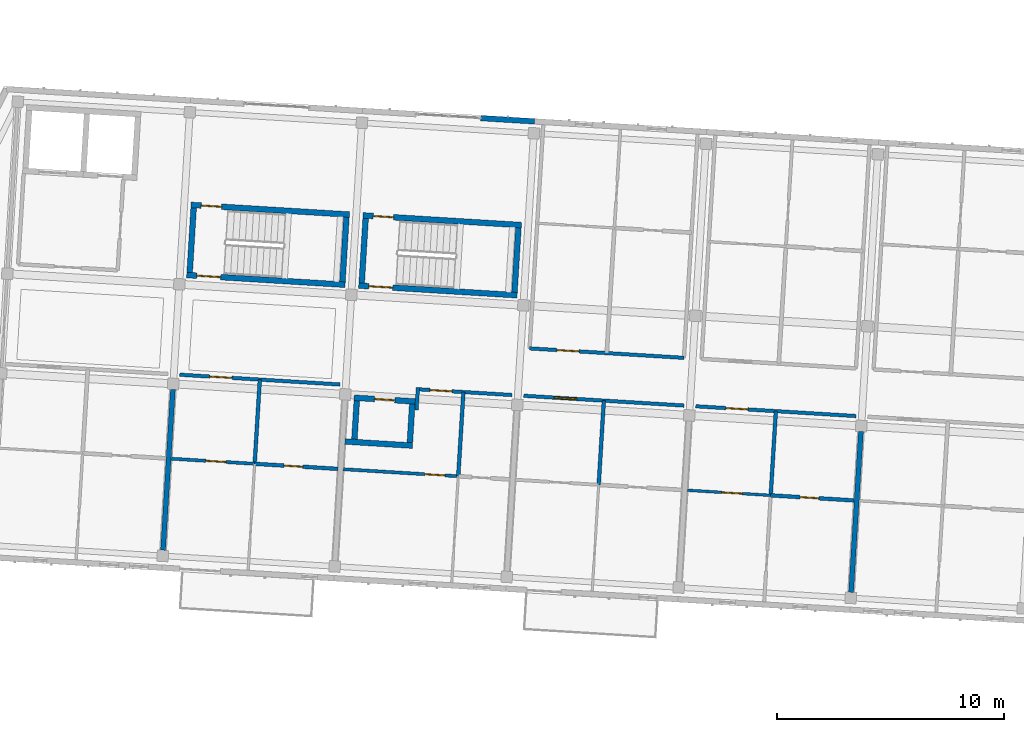
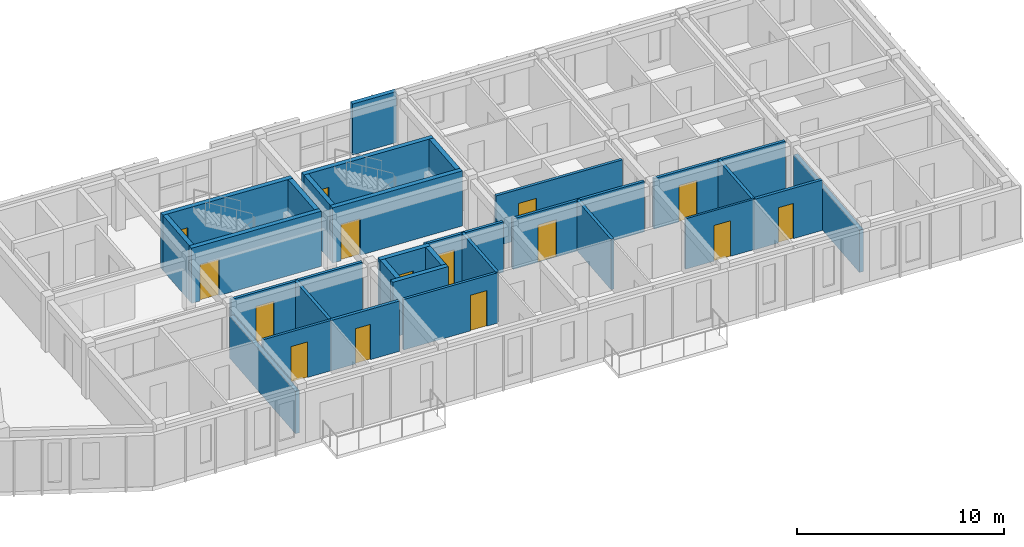
# One storey, part 26 of 68: 30 walls, 15 doors, 15 openings.
"""IFC4 building model written with IfcOpenShell, lengths in metres."""

from ifc_helpers import new_model, si_unit, direction, frame, frame_2d, origin, place, context, subcontext, project, spatial, rectangle, extrude, material, layer, layer_set, type_object, element, fill, save


model = new_model("IFC4")

# Units and contexts
model_context = context("Model", 3, precision=1e-05, world=origin(), true_north=direction((0.0, 1.0)))
body_context = subcontext(model_context, "Body", "Model", "MODEL_VIEW")
ifc_project = project(units=[si_unit("LENGTHUNIT", "METRE"), si_unit("AREAUNIT", "SQUARE_METRE"), si_unit("VOLUMEUNIT", "CUBIC_METRE"), si_unit("PLANEANGLEUNIT", "RADIAN"), si_unit("MASSUNIT", "GRAM", prefix="KILO")], contexts=[model_context])

# Site, building, storey
site_placement = place(None, origin())
site = spatial("IfcSite", under=ifc_project, at=site_placement, CompositionType="ELEMENT")
building_placement = place(site_placement, origin())
building = spatial("IfcBuilding", under=site, at=building_placement, Name="Kestramere Prow Commons", CompositionType="ELEMENT")
storey_placement = place(building_placement, frame((0.0, 0.0, 18.14990234375)))
storey = spatial("IfcBuildingStorey", under=building, at=storey_placement, Name="L05", CompositionType="ELEMENT", Elevation=18.14990234375)

# Wall
ifc_material_1 = material(Name="Fluoropolymer Standing-Seam Zinc-Aluminium Cladding", Category="aluminium")
ifc_layer_1 = layer(ifc_material_1, 0.239990234375)
ifc_layer_set_1 = layer_set([ifc_layer_1], Name="Fluoropolymer Standing-Seam Zinc-Aluminium Cladding")
wall_type_1 = type_object("IfcWallType", Name="EW-SEAM-240", PredefinedType="SOLIDWALL", material=ifc_layer_set_1)
wall_1_placement = place(storey_placement, frame((81.115478515625, 65.340576171875, 0.0), z_axis=(0.0, 0.0, 1.0), x_axis=(0.998134103342, -0.061059902923, 0.0)))
element("IfcWall", 1, at=wall_1_placement, inside=storey, type_object=wall_type_1, Name="Block C L05 North Standing-Seam Pier 3R", PredefinedType="SOLIDWALL", context=body_context, shape_type="SweptSolid", body=[
    extrude(rectangle(XDim=2.375, YDim=0.239990234375, at=frame_2d((1.1875, 0.0))), origin(), (0.0, 0.0, 1.0), 3.0),
])

# Wall, opening, door
ifc_material_2 = material(Name="Concrete C40/50", Category="concrete")
ifc_layer_2 = layer(ifc_material_2, 0.25)
ifc_layer_set_2 = layer_set([ifc_layer_2], Name="Concrete C40/50")
wall_type_2 = type_object("IfcWallType", Name="W-CORE-250", PredefinedType="SHEAR", material=ifc_layer_set_2)
wall_2_placement = place(storey_placement, frame((68.3330078125, 61.513671875, 0.0), z_axis=(0.0, 0.0, 1.0), x_axis=(0.998135676081, -0.061034188237, 0.0)))
wall_2 = element("IfcWall", 2, at=wall_2_placement, inside=storey, type_object=wall_type_2, Name="ST-C1 L05 North Shaft Wall", PredefinedType="SHEAR", context=body_context, shape_type="SweptSolid", body=[
    extrude(rectangle(XDim=7.0, YDim=0.25, at=frame_2d((3.5, 0.0))), origin(), (0.0, 0.0, 1.0), 3.25),
])
opening_1_placement = place(wall_2_placement, frame((0.449951171875, 0.0, 0.0)))
opening_1 = element("IfcOpeningElement", 3, at=opening_1_placement, cuts=wall_2, Name="Opening ID-08", PredefinedType="OPENING", context=body_context, shape_type="SweptSolid", body=[
    extrude(rectangle(XDim=0.89990234375, YDim=2.10009765625, at=frame_2d((0.449951171875, 1.050048828125))), frame((0.0, 0.139892578125, 0.0), z_axis=(0.0, -1.0, 0.0), x_axis=(1.0, 0.0, 0.0)), (0.0, 0.0, 1.0), 0.280029296875),
])
ifc_material_3 = material(Name="Engineered Timber Flush Door", Category="wood")
door_type_1 = type_object("IfcDoorType", Name="D-RM-01", OperationType="NOTDEFINED", PredefinedType="DOOR", material=ifc_material_3)
door_1_placement = place(opening_1_placement, origin())
door_1 = element("IfcDoor", 4, at=door_1_placement, inside=storey, type_object=door_type_1, Name="ST-C1 L05 North Room Door", OperationType="SINGLE_SWING_RIGHT", OverallHeight=2.10009765625, OverallWidth=0.89990234375, PredefinedType="DOOR", context=body_context, shape_type="SweptSolid", body=[
    extrude(rectangle(XDim=0.89990234375, YDim=2.10009765625, at=frame_2d((0.449951171875, 1.050048828125))), frame((0.0, 0.02490234375, 0.0), z_axis=(0.0, -1.0, 0.0), x_axis=(1.0, 0.0, 0.0)), (0.0, 0.0, 1.0), 0.050048828125),
])
fill(opening_1, door_1)

wall_3_placement = place(storey_placement, frame((68.143798828125, 58.41943359375, 0.0), z_axis=(0.0, 0.0, 1.0), x_axis=(0.998135546153, -0.061036313012, 0.0)))
wall_3 = element("IfcWall", 5, at=wall_3_placement, inside=storey, type_object=wall_type_2, Name="ST-C1 L05 Corridor Shaft Wall", PredefinedType="SHEAR", context=body_context, shape_type="SweptSolid", body=[
    extrude(rectangle(XDim=6.999755859375, YDim=0.25, at=frame_2d((3.5, 0.0))), origin(), (0.0, 0.0, 1.0), 3.25),
])
opening_2_placement = place(wall_3_placement, frame((0.449951171875, 0.0, 0.0)))
opening_2 = element("IfcOpeningElement", 6, at=opening_2_placement, cuts=wall_3, Name="Opening ID-01", PredefinedType="OPENING", context=body_context, shape_type="SweptSolid", body=[
    extrude(rectangle(XDim=1.050048828125, YDim=2.14990234375, at=frame_2d((0.52490234375, 1.074951171875))), frame((0.0, 0.139892578125, 0.0), z_axis=(0.0, -1.0, 0.0), x_axis=(1.0, 0.0, 0.0)), (0.0, 0.0, 1.0), 0.280029296875),
])
ifc_material_4 = material(Name="Fire-Rated Timber and Steel Frame", Category="steel")
door_type_2 = type_object("IfcDoorType", Name="FD-ST-01", OperationType="NOTDEFINED", PredefinedType="DOOR", material=ifc_material_4)
door_2_placement = place(opening_2_placement, origin())
door_2 = element("IfcDoor", 7, at=door_2_placement, inside=storey, type_object=door_type_2, Name="ST-C1 L05 Protected Stair Door", OperationType="SINGLE_SWING_RIGHT", OverallHeight=2.14990234375, OverallWidth=1.050048828125, PredefinedType="DOOR", context=body_context, shape_type="SweptSolid", body=[
    extrude(rectangle(XDim=1.050048828125, YDim=2.14990234375, at=frame_2d((0.52490234375, 1.074951171875))), frame((0.0, 0.02490234375, 0.0), z_axis=(0.0, -1.0, 0.0), x_axis=(1.0, 0.0, 0.0)), (0.0, 0.0, 1.0), 0.050048828125),
])
fill(opening_2, door_2)

# Walls
for number, where, z_axis, x_axis, name in (
    (8, (68.276123046875, 58.53662109375, 0.0), (0.0, 0.0, 1.0), (0.06107697143, 0.998133059046, 0.0), "ST-C1 L05 Near Shaft Wall"),
    (9, (75.013671875, 58.12451171875, 0.0), (0.0, 0.0, 1.0), (0.060991628362, 0.99813827763, 0.0), "ST-C1 L05 Far Shaft Wall"),
):
    element("IfcWall", number, at=place(storey_placement, frame(where, z_axis=z_axis, x_axis=x_axis)), inside=storey, type_object=wall_type_2, Name=name, PredefinedType="SHEAR", context=body_context, shape_type="SweptSolid", body=[
        extrude(rectangle(XDim=2.85009765625, YDim=0.25, at=frame_2d((1.425048828125, 0.0))), origin(), (0.0, 0.0, 1.0), 3.25),
    ])

# Wall, opening, door
wall_4_placement = place(storey_placement, frame((75.9189453125, 61.0498046875, 0.0), z_axis=(0.0, 0.0, 1.0), x_axis=(0.998135546153, -0.061036313012, 0.0)))
wall_4 = element("IfcWall", 10, at=wall_4_placement, inside=storey, type_object=wall_type_2, Name="ST-C2 L05 North Shaft Wall", PredefinedType="SHEAR", context=body_context, shape_type="SweptSolid", body=[
    extrude(rectangle(XDim=6.999755859375, YDim=0.25, at=frame_2d((3.5, 0.0))), origin(), (0.0, 0.0, 1.0), 3.25),
])
opening_3_placement = place(wall_4_placement, frame((0.449951171875, 0.0, 0.0)))
opening_3 = element("IfcOpeningElement", 11, at=opening_3_placement, cuts=wall_4, Name="Opening ID-08", PredefinedType="OPENING", context=body_context, shape_type="SweptSolid", body=[
    extrude(rectangle(XDim=0.89990234375, YDim=2.10009765625, at=frame_2d((0.449951171875, 1.050048828125))), frame((0.0, 0.139892578125, 0.0), z_axis=(0.0, -1.0, 0.0), x_axis=(1.0, 0.0, 0.0)), (0.0, 0.0, 1.0), 0.280029296875),
])
door_3_placement = place(opening_3_placement, origin())
door_3 = element("IfcDoor", 12, at=door_3_placement, inside=storey, type_object=door_type_1, Name="ST-C2 L05 North Room Door", OperationType="SINGLE_SWING_RIGHT", OverallHeight=2.10009765625, OverallWidth=0.89990234375, PredefinedType="DOOR", context=body_context, shape_type="SweptSolid", body=[
    extrude(rectangle(XDim=0.89990234375, YDim=2.10009765625, at=frame_2d((0.449951171875, 1.050048828125))), frame((0.0, 0.02490234375, 0.0), z_axis=(0.0, -1.0, 0.0), x_axis=(1.0, 0.0, 0.0)), (0.0, 0.0, 1.0), 0.050048828125),
])
fill(opening_3, door_3)

wall_5_placement = place(storey_placement, frame((75.729736328125, 57.95556640625, 0.0), z_axis=(0.0, 0.0, 1.0), x_axis=(0.998135546153, -0.061036313012, 0.0)))
wall_5 = element("IfcWall", 13, at=wall_5_placement, inside=storey, type_object=wall_type_2, Name="ST-C2 L05 Corridor Shaft Wall", PredefinedType="SHEAR", context=body_context, shape_type="SweptSolid", body=[
    extrude(rectangle(XDim=6.999755859375, YDim=0.25, at=frame_2d((3.5, 0.0))), origin(), (0.0, 0.0, 1.0), 3.25),
])
opening_4_placement = place(wall_5_placement, frame((0.449951171875, 0.0, 0.0)))
opening_4 = element("IfcOpeningElement", 14, at=opening_4_placement, cuts=wall_5, Name="Opening ID-01", PredefinedType="OPENING", context=body_context, shape_type="SweptSolid", body=[
    extrude(rectangle(XDim=1.050048828125, YDim=2.14990234375, at=frame_2d((0.52490234375, 1.074951171875))), frame((0.0, 0.139892578125, 0.0), z_axis=(0.0, -1.0, 0.0), x_axis=(1.0, 0.0, 0.0)), (0.0, 0.0, 1.0), 0.280029296875),
])
door_4_placement = place(opening_4_placement, origin())
door_4 = element("IfcDoor", 15, at=door_4_placement, inside=storey, type_object=door_type_2, Name="ST-C2 L05 Protected Stair Door", OperationType="SINGLE_SWING_RIGHT", OverallHeight=2.14990234375, OverallWidth=1.050048828125, PredefinedType="DOOR", context=body_context, shape_type="SweptSolid", body=[
    extrude(rectangle(XDim=1.050048828125, YDim=2.14990234375, at=frame_2d((0.52490234375, 1.074951171875))), frame((0.0, 0.02490234375, 0.0), z_axis=(0.0, -1.0, 0.0), x_axis=(1.0, 0.0, 0.0)), (0.0, 0.0, 1.0), 0.050048828125),
])
fill(opening_4, door_4)

# Walls
for number, where, z_axis, x_axis, name in (
    (16, (75.862060546875, 58.07275390625, 0.0), (0.0, 0.0, 1.0), (0.060991628362, 0.99813827763, 0.0), "ST-C2 L05 Near Shaft Wall"),
    (17, (82.599365234375, 57.66064453125, 0.0), (0.0, 0.0, 1.0), (0.06107697143, 0.998133059046, 0.0), "ST-C2 L05 Far Shaft Wall"),
):
    element("IfcWall", number, at=place(storey_placement, frame(where, z_axis=z_axis, x_axis=x_axis)), inside=storey, type_object=wall_type_2, Name=name, PredefinedType="SHEAR", context=body_context, shape_type="SweptSolid", body=[
        extrude(rectangle(XDim=2.85009765625, YDim=0.25, at=frame_2d((1.425048828125, 0.0))), origin(), (0.0, 0.0, 1.0), 3.25),
    ])

# Wall, opening, door
ifc_material_5 = material(Name="Fire-Rated Calcium Silicate Wall")
ifc_layer_3 = layer(ifc_material_5, 0.155029296875)
ifc_layer_set_3 = layer_set([ifc_layer_3], Name="Fire-Rated Calcium Silicate Wall")
wall_type_3 = type_object("IfcWallType", Name="W-FIRE-150", PredefinedType="PARTITIONING", material=ifc_layer_set_3)
wall_6_placement = place(storey_placement, frame((67.8349609375, 54.025146484375, 0.0), z_axis=(0.0, 0.0, 1.0), x_axis=(0.998135666539, -0.061034344288, 0.0)))
wall_6 = element("IfcWall", 18, at=wall_6_placement, inside=storey, type_object=wall_type_3, Name="Interior Partition PW-C-L05-CS-1", PredefinedType="PARTITIONING", context=body_context, shape_type="SweptSolid", body=[
    extrude(rectangle(XDim=7.080078125, YDim=0.155029296875, at=frame_2d((3.5400390625, 0.0))), origin(), (0.0, 0.0, 1.0), 2.97021484375),
])
opening_5_placement = place(wall_6_placement, frame((1.330078125, 0.0, 0.0)))
opening_5 = element("IfcOpeningElement", 19, at=opening_5_placement, cuts=wall_6, Name="Opening ID-04", PredefinedType="OPENING", context=body_context, shape_type="SweptSolid", body=[
    extrude(rectangle(XDim=0.97998046875, YDim=2.14990234375, at=frame_2d((0.489990234375, 1.074951171875))), frame((0.0, 0.092529296875, 0.0), z_axis=(0.0, -1.0, 0.0), x_axis=(1.0, 0.0, 0.0)), (0.0, 0.0, 1.0), 0.18505859375),
])
ifc_material_6 = material(Name="Hardwood Fire-Rated Flat Entrance Door", Category="wood")
door_type_3 = type_object("IfcDoorType", Name="FD-ENT-01", OperationType="NOTDEFINED", PredefinedType="DOOR", material=ifc_material_6)
door_5_placement = place(opening_5_placement, origin())
door_5 = element("IfcDoor", 20, at=door_5_placement, inside=storey, type_object=door_type_3, Name="Interior Door DR-C-L05-ENT-S1", OperationType="SINGLE_SWING_LEFT", OverallHeight=2.14990234375, OverallWidth=0.97998046875, PredefinedType="DOOR", context=body_context, shape_type="SweptSolid", body=[
    extrude(rectangle(XDim=0.97998046875, YDim=2.14990234375, at=frame_2d((0.489990234375, 1.074951171875))), frame((0.0, 0.02490234375, 0.0), z_axis=(0.0, -1.0, 0.0), x_axis=(1.0, 0.0, 0.0)), (0.0, 0.0, 1.0), 0.050048828125),
])
fill(opening_5, door_5)

# Wall
wall_7_placement = place(storey_placement, frame((78.279052734375, 52.464599609375, 0.0), z_axis=(0.0, 0.0, 1.0), x_axis=(0.061095097219, 0.998131949742, 0.0)))
element("IfcWall", 21, at=wall_7_placement, inside=storey, type_object=wall_type_3, Name="Interior Partition PW-C-L05-HS-CLOSER", PredefinedType="PARTITIONING", context=body_context, shape_type="SweptSolid", body=[
    extrude(rectangle(XDim=0.9951171875, YDim=0.155029296875, at=frame_2d((0.49755859375, 0.0))), origin(), (0.0, 0.0, 1.0), 2.97021484375),
])

# Wall, opening, door
wall_8_placement = place(storey_placement, frame((78.415283203125, 53.378173828125, 0.0), z_axis=(0.0, 0.0, 1.0), x_axis=(0.998131852862, -0.061096679962, 0.0)))
wall_8 = element("IfcWall", 22, at=wall_8_placement, inside=storey, type_object=wall_type_3, Name="Interior Partition PW-C-L05-CS-2", PredefinedType="PARTITIONING", context=body_context, shape_type="SweptSolid", body=[
    extrude(rectangle(XDim=4.079833984375, YDim=0.155029296875, at=frame_2d((2.0400390625, 0.0))), origin(), (0.0, 0.0, 1.0), 2.97021484375),
])
opening_6_placement = place(wall_8_placement, frame((0.45703125, 0.0, 0.0)))
opening_6 = element("IfcOpeningElement", 23, at=opening_6_placement, cuts=wall_8, Name="Opening ID-04", PredefinedType="OPENING", context=body_context, shape_type="SweptSolid", body=[
    extrude(rectangle(XDim=0.97998046875, YDim=2.14990234375, at=frame_2d((0.489990234375, 1.074951171875))), frame((0.0, 0.092529296875, 0.0), z_axis=(0.0, -1.0, 0.0), x_axis=(1.0, 0.0, 0.0)), (0.0, 0.0, 1.0), 0.18505859375),
])
door_6_placement = place(opening_6_placement, origin())
door_6 = element("IfcDoor", 24, at=door_6_placement, inside=storey, type_object=door_type_3, Name="Interior Door DR-C-L05-ENT-S2", OperationType="SINGLE_SWING_RIGHT", OverallHeight=2.14990234375, OverallWidth=0.97998046875, PredefinedType="DOOR", context=body_context, shape_type="SweptSolid", body=[
    extrude(rectangle(XDim=0.97998046875, YDim=2.14990234375, at=frame_2d((0.489990234375, 1.074951171875))), frame((0.0, 0.02490234375, 0.0), z_axis=(0.0, -1.0, 0.0), x_axis=(1.0, 0.0, 0.0)), (0.0, 0.0, 1.0), 0.050048828125),
])
fill(opening_6, door_6)

wall_9_placement = place(storey_placement, frame((83.006591796875, 53.09716796875, 0.0), z_axis=(0.0, 0.0, 1.0), x_axis=(0.998135666539, -0.061034344288, 0.0)))
wall_9 = element("IfcWall", 25, at=wall_9_placement, inside=storey, type_object=wall_type_3, Name="Interior Partition PW-C-L05-CS-3", PredefinedType="PARTITIONING", context=body_context, shape_type="SweptSolid", body=[
    extrude(rectangle(XDim=7.080078125, YDim=0.155029296875, at=frame_2d((3.5400390625, 0.0))), origin(), (0.0, 0.0, 1.0), 2.97021484375),
])
opening_7_placement = place(wall_9_placement, frame((1.330078125, 0.0, 0.0)))
opening_7 = element("IfcOpeningElement", 26, at=opening_7_placement, cuts=wall_9, Name="Opening ID-05", PredefinedType="OPENING", context=body_context, shape_type="SweptSolid", body=[
    extrude(rectangle(XDim=1.02001953125, YDim=2.199951171875, at=frame_2d((0.510009765625, 1.10009765625))), frame((0.0, 0.092529296875, 0.0), z_axis=(0.0, -1.0, 0.0), x_axis=(1.0, 0.0, 0.0)), (0.0, 0.0, 1.0), 0.18505859375),
])
door_type_4 = type_object("IfcDoorType", Name="FD-ENT-02", OperationType="NOTDEFINED", PredefinedType="DOOR", material=ifc_material_6)
door_7_placement = place(opening_7_placement, origin())
door_7 = element("IfcDoor", 27, at=door_7_placement, inside=storey, type_object=door_type_4, Name="Interior Door DR-C-L05-ENT-S3", OperationType="SINGLE_SWING_LEFT", OverallHeight=2.199951171875, OverallWidth=1.02001953125, PredefinedType="DOOR", context=body_context, shape_type="SweptSolid", body=[
    extrude(rectangle(XDim=1.02001953125, YDim=2.199951171875, at=frame_2d((0.510009765625, 1.10009765625))), frame((0.0, 0.02490234375, 0.0), z_axis=(0.0, -1.0, 0.0), x_axis=(1.0, 0.0, 0.0)), (0.0, 0.0, 1.0), 0.050048828125),
])
fill(opening_7, door_7)

wall_10_placement = place(storey_placement, frame((90.592529296875, 52.63330078125, 0.0), z_axis=(0.0, 0.0, 1.0), x_axis=(0.998135538078, -0.061036445065, 0.0)))
wall_10 = element("IfcWall", 28, at=wall_10_placement, inside=storey, type_object=wall_type_3, Name="Interior Partition PW-C-L05-CS-4", PredefinedType="PARTITIONING", context=body_context, shape_type="SweptSolid", body=[
    extrude(rectangle(XDim=7.079833984375, YDim=0.155029296875, at=frame_2d((3.5400390625, 0.0))), origin(), (0.0, 0.0, 1.0), 2.97021484375),
])
opening_8_placement = place(wall_10_placement, frame((1.330078125, 0.0, 0.0)))
opening_8 = element("IfcOpeningElement", 29, at=opening_8_placement, cuts=wall_10, Name="Opening ID-04", PredefinedType="OPENING", context=body_context, shape_type="SweptSolid", body=[
    extrude(rectangle(XDim=0.97998046875, YDim=2.14990234375, at=frame_2d((0.489990234375, 1.074951171875))), frame((0.0, 0.092529296875, 0.0), z_axis=(0.0, -1.0, 0.0), x_axis=(1.0, 0.0, 0.0)), (0.0, 0.0, 1.0), 0.18505859375),
])
door_8_placement = place(opening_8_placement, origin())
door_8 = element("IfcDoor", 30, at=door_8_placement, inside=storey, type_object=door_type_3, Name="Interior Door DR-C-L05-ENT-S4", OperationType="SINGLE_SWING_RIGHT", OverallHeight=2.14990234375, OverallWidth=0.97998046875, PredefinedType="DOOR", context=body_context, shape_type="SweptSolid", body=[
    extrude(rectangle(XDim=0.97998046875, YDim=2.14990234375, at=frame_2d((0.489990234375, 1.074951171875))), frame((0.0, 0.02490234375, 0.0), z_axis=(0.0, -1.0, 0.0), x_axis=(1.0, 0.0, 0.0)), (0.0, 0.0, 1.0), 0.050048828125),
])
fill(opening_8, door_8)

wall_11_placement = place(storey_placement, frame((83.2646484375, 55.185302734375, 0.0), z_axis=(0.0, 0.0, 1.0), x_axis=(0.998135531673, -0.061036549799, 0.0)))
wall_11 = element("IfcWall", 31, at=wall_11_placement, inside=storey, type_object=wall_type_3, Name="Interior Partition PW-C-L05-CN-3", PredefinedType="PARTITIONING", context=body_context, shape_type="SweptSolid", body=[
    extrude(rectangle(XDim=6.81982421875, YDim=0.155029296875, at=frame_2d((3.409912109375, 0.0))), origin(), (0.0, 0.0, 1.0), 2.97021484375),
])
opening_9_placement = place(wall_11_placement, frame((1.205078125, 0.0, 0.0)))
opening_9 = element("IfcOpeningElement", 32, at=opening_9_placement, cuts=wall_11, Name="Opening ID-04", PredefinedType="OPENING", context=body_context, shape_type="SweptSolid", body=[
    extrude(rectangle(XDim=0.97998046875, YDim=2.14990234375, at=frame_2d((0.489990234375, 1.074951171875))), frame((0.0, 0.092529296875, 0.0), z_axis=(0.0, -1.0, 0.0), x_axis=(1.0, 0.0, 0.0)), (0.0, 0.0, 1.0), 0.18505859375),
])
door_9_placement = place(opening_9_placement, origin())
door_9 = element("IfcDoor", 33, at=door_9_placement, inside=storey, type_object=door_type_3, Name="Interior Door DR-C-L05-ENT-N3", OperationType="SINGLE_SWING_RIGHT", OverallHeight=2.14990234375, OverallWidth=0.97998046875, PredefinedType="DOOR", context=body_context, shape_type="SweptSolid", body=[
    extrude(rectangle(XDim=0.97998046875, YDim=2.14990234375, at=frame_2d((0.489990234375, 1.074951171875))), frame((0.0, 0.02490234375, 0.0), z_axis=(0.0, -1.0, 0.0), x_axis=(1.0, 0.0, 0.0)), (0.0, 0.0, 1.0), 0.050048828125),
])
fill(opening_9, door_9)

# Wall
ifc_layer_4 = layer(ifc_material_2, 0.25)
ifc_layer_set_4 = layer_set([ifc_layer_4], Name="Concrete C40/50")
wall_type_4 = type_object("IfcWallType", Name="W-HS-250", PredefinedType="SHEAR", material=ifc_layer_set_4)
wall_12_placement = place(storey_placement, frame((75.11865234375, 51.080078125, 0.0), z_axis=(0.0, 0.0, 1.0), x_axis=(0.998133370443, -0.061071882298, 0.0)))
element("IfcWall", 34, at=wall_12_placement, inside=storey, type_object=wall_type_4, Name="Block C L05 Household Shelter South Wall", PredefinedType="SHEAR", context=body_context, shape_type="SweptSolid", body=[
    extrude(rectangle(XDim=2.990234375, YDim=0.25, at=frame_2d((1.4951171875, 0.0))), origin(), (0.0, 0.0, 1.0), 3.25),
])

# Wall, opening, door
wall_13_placement = place(storey_placement, frame((75.52734375, 53.0087890625, 0.0), z_axis=(0.0, 0.0, 1.0), x_axis=(0.998129907752, -0.061128448781, 0.0)))
wall_13 = element("IfcWall", 35, at=wall_13_placement, inside=storey, type_object=wall_type_4, Name="Block C L05 Household Shelter North Wall", PredefinedType="SHEAR", context=body_context, shape_type="SweptSolid", body=[
    extrude(rectangle(XDim=2.699951171875, YDim=0.25, at=frame_2d((1.35009765625, 0.0))), origin(), (0.0, 0.0, 1.0), 3.25),
])
opening_10_placement = place(wall_13_placement, frame((0.89990234375, 0.0, 0.0)))
opening_10 = element("IfcOpeningElement", 36, at=opening_10_placement, cuts=wall_13, Name="Opening ID-06", PredefinedType="OPENING", context=body_context, shape_type="SweptSolid", body=[
    extrude(rectangle(XDim=0.89990234375, YDim=2.050048828125, at=frame_2d((0.449951171875, 1.02490234375))), frame((0.0, 0.139892578125, 0.0), z_axis=(0.0, -1.0, 0.0), x_axis=(1.0, 0.0, 0.0)), (0.0, 0.0, 1.0), 0.280029296875),
])
ifc_material_7 = material(Name="Galvanised Steel S275JR Household Shelter Door", Category="steel")
door_type_5 = type_object("IfcDoorType", Name="FD-HS-01", OperationType="NOTDEFINED", PredefinedType="DOOR", material=ifc_material_7)
door_10_placement = place(opening_10_placement, origin())
door_10 = element("IfcDoor", 37, at=door_10_placement, inside=storey, type_object=door_type_5, Name="Block C L05 Household Shelter Blast Door", OperationType="SINGLE_SWING_LEFT", OverallHeight=2.050048828125, OverallWidth=0.89990234375, PredefinedType="DOOR", context=body_context, shape_type="SweptSolid", body=[
    extrude(rectangle(XDim=0.89990234375, YDim=2.050048828125, at=frame_2d((0.449951171875, 1.02490234375))), frame((0.0, 0.02490234375, 0.0), z_axis=(0.0, -1.0, 0.0), x_axis=(1.0, 0.0, 0.0)), (0.0, 0.0, 1.0), 0.050048828125),
])
fill(opening_10, door_10)

# Walls
wall_14_placement = place(storey_placement, frame((75.54052734375, 51.179443359375, 0.0), z_axis=(0.0, 0.0, 1.0), x_axis=(0.061037062968, 0.998135500293, 0.0)))
element("IfcWall", 38, at=wall_14_placement, inside=storey, type_object=wall_type_4, Name="Block C L05 Household Shelter W Wall", PredefinedType="SHEAR", context=body_context, shape_type="SweptSolid", body=[
    extrude(rectangle(XDim=1.699951171875, YDim=0.25, at=frame_2d((0.85009765625, 0.0))), origin(), (0.0, 0.0, 1.0), 3.25),
])
wall_15_placement = place(storey_placement, frame((77.986083984375, 51.02978515625, 0.0), z_axis=(0.0, 0.0, 1.0), x_axis=(0.061028314627, 0.998136035225, 0.0)))
element("IfcWall", 39, at=wall_15_placement, inside=storey, type_object=wall_type_4, Name="Block C L05 Household Shelter E Wall", PredefinedType="SHEAR", context=body_context, shape_type="SweptSolid", body=[
    extrude(rectangle(XDim=1.7001953125, YDim=0.25, at=frame_2d((0.85009765625, 0.0))), origin(), (0.0, 0.0, 1.0), 3.25),
])

# Wall, opening, door
ifc_material_8 = material(Name="Lightweight Blockwork and Plaster", Category="masonry")
ifc_layer_5 = layer(ifc_material_8, 0.1201171875)
ifc_layer_set_5 = layer_set([ifc_layer_5], Name="Lightweight Blockwork and Plaster")
wall_type_5 = type_object("IfcWallType", Name="W-PART-120", PredefinedType="PARTITIONING", material=ifc_layer_set_5)
wall_16_placement = place(storey_placement, frame((90.220703125, 48.92919921875, 0.0), z_axis=(0.0, 0.0, 1.0), x_axis=(0.99813243538, -0.061087162657, 0.0)))
wall_16 = element("IfcWall", 40, at=wall_16_placement, inside=storey, type_object=wall_type_5, Name="Interior Partition PW-C-L05-MIDS1-4", PredefinedType="PARTITIONING", context=body_context, shape_type="SweptSolid", body=[
    extrude(rectangle(XDim=3.684814453125, YDim=0.1201171875, at=frame_2d((1.84228515625, 0.0))), origin(), (0.0, 0.0, 1.0), 2.97021484375),
])
opening_11_placement = place(wall_16_placement, frame((1.52490234375, 0.0, 0.0)))
opening_11 = element("IfcOpeningElement", 41, at=opening_11_placement, cuts=wall_16, Name="Opening ID-08", PredefinedType="OPENING", context=body_context, shape_type="SweptSolid", body=[
    extrude(rectangle(XDim=0.89990234375, YDim=2.10009765625, at=frame_2d((0.449951171875, 1.050048828125))), frame((0.0, 0.074951171875, 0.0), z_axis=(0.0, -1.0, 0.0), x_axis=(1.0, 0.0, 0.0)), (0.0, 0.0, 1.0), 0.150146484375),
])
door_11_placement = place(opening_11_placement, origin())
door_11 = element("IfcDoor", 42, at=door_11_placement, inside=storey, type_object=door_type_1, Name="Interior Door DR-C-L05-KL-S4", OperationType="SINGLE_SWING_RIGHT", OverallHeight=2.10009765625, OverallWidth=0.89990234375, PredefinedType="DOOR", context=body_context, shape_type="SweptSolid", body=[
    extrude(rectangle(XDim=0.89990234375, YDim=2.10009765625, at=frame_2d((0.449951171875, 1.050048828125))), frame((0.0, 0.02490234375, 0.0), z_axis=(0.0, -1.0, 0.0), x_axis=(1.0, 0.0, 0.0)), (0.0, 0.0, 1.0), 0.050048828125),
])
fill(opening_11, door_11)

ifc_material_9 = material(Name="Masonry Compartment Wall", Category="masonry")
ifc_layer_6 = layer(ifc_material_9, 0.139892578125)
ifc_layer_set_6 = layer_set([ifc_layer_6], Name="Masonry Compartment Wall")
wall_type_6 = type_object("IfcWallType", Name="W-PART-140", PredefinedType="PARTITIONING", material=ifc_layer_set_6)
wall_17_placement = place(storey_placement, frame((67.463134765625, 50.321044921875, 0.0), z_axis=(0.0, 0.0, 1.0), x_axis=(0.998132682596, -0.061083123148, 0.0)))
wall_17 = element("IfcWall", 43, at=wall_17_placement, inside=storey, type_object=wall_type_6, Name="Interior Partition PW-C-L05-MIDS1-1", PredefinedType="PARTITIONING", context=body_context, shape_type="SweptSolid", body=[
    extrude(rectangle(XDim=3.68505859375, YDim=0.139892578125, at=frame_2d((1.842529296875, 0.0))), origin(), (0.0, 0.0, 1.0), 2.97021484375),
])
opening_12_placement = place(wall_17_placement, frame((1.52490234375, 0.0, 0.0)))
opening_12 = element("IfcOpeningElement", 44, at=opening_12_placement, cuts=wall_17, Name="Opening ID-08", PredefinedType="OPENING", context=body_context, shape_type="SweptSolid", body=[
    extrude(rectangle(XDim=0.89990234375, YDim=2.10009765625, at=frame_2d((0.449951171875, 1.050048828125))), frame((0.0, 0.0849609375, 0.0), z_axis=(0.0, -1.0, 0.0), x_axis=(1.0, 0.0, 0.0)), (0.0, 0.0, 1.0), 0.169921875),
])
door_12_placement = place(opening_12_placement, origin())
door_12 = element("IfcDoor", 45, at=door_12_placement, inside=storey, type_object=door_type_1, Name="Interior Door DR-C-L05-KL-S1", OperationType="SINGLE_SWING_RIGHT", OverallHeight=2.10009765625, OverallWidth=0.89990234375, PredefinedType="DOOR", context=body_context, shape_type="SweptSolid", body=[
    extrude(rectangle(XDim=0.89990234375, YDim=2.10009765625, at=frame_2d((0.449951171875, 1.050048828125))), frame((0.0, 0.02490234375, 0.0), z_axis=(0.0, -1.0, 0.0), x_axis=(1.0, 0.0, 0.0)), (0.0, 0.0, 1.0), 0.050048828125),
])
fill(opening_12, door_12)

wall_18_placement = place(storey_placement, frame((75.048828125, 49.85693359375, 0.0), z_axis=(0.0, 0.0, 1.0), x_axis=(0.998135637207, -0.061034823981, 0.0)))
wall_18 = element("IfcWall", 46, at=wall_18_placement, inside=storey, type_object=wall_type_6, Name="Interior Partition PW-C-L05-MIDS1-2", PredefinedType="PARTITIONING", context=body_context, shape_type="SweptSolid", body=[
    extrude(rectangle(XDim=5.080078125, YDim=0.139892578125, at=frame_2d((2.5400390625, 0.0))), origin(), (0.0, 0.0, 1.0), 2.97021484375),
])
opening_13_placement = place(wall_18_placement, frame((3.594970703125, 0.0, 0.0)))
opening_13 = element("IfcOpeningElement", 47, at=opening_13_placement, cuts=wall_18, Name="Opening ID-08", PredefinedType="OPENING", context=body_context, shape_type="SweptSolid", body=[
    extrude(rectangle(XDim=0.89990234375, YDim=2.10009765625, at=frame_2d((0.449951171875, 1.050048828125))), frame((0.0, 0.0849609375, 0.0), z_axis=(0.0, -1.0, 0.0), x_axis=(1.0, 0.0, 0.0)), (0.0, 0.0, 1.0), 0.169921875),
])
door_13_placement = place(opening_13_placement, origin())
door_13 = element("IfcDoor", 48, at=door_13_placement, inside=storey, type_object=door_type_1, Name="Interior Door DR-C-L05-KL-S2", OperationType="SINGLE_SWING_RIGHT", OverallHeight=2.10009765625, OverallWidth=0.89990234375, PredefinedType="DOOR", context=body_context, shape_type="SweptSolid", body=[
    extrude(rectangle(XDim=0.89990234375, YDim=2.10009765625, at=frame_2d((0.449951171875, 1.050048828125))), frame((0.0, 0.02490234375, 0.0), z_axis=(0.0, -1.0, 0.0), x_axis=(1.0, 0.0, 0.0)), (0.0, 0.0, 1.0), 0.050048828125),
])
fill(opening_13, door_13)

ifc_material_10 = material(Name="Waterproof Sanitary Masonry Wall", Category="masonry")
ifc_layer_7 = layer(ifc_material_10, 0.1650390625)
ifc_layer_set_7 = layer_set([ifc_layer_7], Name="Waterproof Sanitary Masonry Wall")
wall_type_7 = type_object("IfcWallType", Name="W-PLUMB-150", PredefinedType="PLUMBINGWALL", material=ifc_layer_set_7)
wall_19_placement = place(storey_placement, frame((71.141357421875, 50.095947265625, 0.0), z_axis=(0.0, 0.0, 1.0), x_axis=(0.998136472989, -0.061021154439, 0.0)))
wall_19 = element("IfcWall", 49, at=wall_19_placement, inside=storey, type_object=wall_type_7, Name="Interior Partition PW-C-L05-MIDS2-1", PredefinedType="PLUMBINGWALL", context=body_context, shape_type="SweptSolid", body=[
    extrude(rectangle(XDim=3.684814453125, YDim=0.1650390625, at=frame_2d((1.84228515625, 0.0))), origin(), (0.0, 0.0, 1.0), 2.97021484375),
])
opening_14_placement = place(wall_19_placement, frame((1.300048828125, 0.0, 0.0)))
opening_14 = element("IfcOpeningElement", 50, at=opening_14_placement, cuts=wall_19, Name="Opening ID-11", PredefinedType="OPENING", context=body_context, shape_type="SweptSolid", body=[
    extrude(rectangle(XDim=0.820068359375, YDim=2.080078125, at=frame_2d((0.41015625, 1.0400390625))), frame((0.0, 0.097412109375, 0.0), z_axis=(0.0, -1.0, 0.0), x_axis=(1.0, 0.0, 0.0)), (0.0, 0.0, 1.0), 0.195068359375),
])
ifc_material_11 = material(Name="Moisture-Resistant Timber Bathroom Door", Category="wood")
door_type_6 = type_object("IfcDoorType", Name="D-BT-01", OperationType="NOTDEFINED", PredefinedType="DOOR", material=ifc_material_11)
door_14_placement = place(opening_14_placement, origin())
door_14 = element("IfcDoor", 51, at=door_14_placement, inside=storey, type_object=door_type_6, Name="Interior Door DR-C-L05-BTH-S1", OperationType="SINGLE_SWING_LEFT", OverallHeight=2.080078125, OverallWidth=0.820068359375, PredefinedType="DOOR", context=body_context, shape_type="SweptSolid", body=[
    extrude(rectangle(XDim=0.820068359375, YDim=2.080078125, at=frame_2d((0.41015625, 1.0400390625))), frame((0.0, 0.02490234375, 0.0), z_axis=(0.0, -1.0, 0.0), x_axis=(1.0, 0.0, 0.0)), (0.0, 0.0, 1.0), 0.050048828125),
])
fill(opening_14, door_14)

# Walls
for number, where, z_axis, x_axis, name in (
    (52, (71.141357421875, 50.095947265625, 0.0), (0.0, 0.0, 1.0), (0.061034005467, 0.998135687257, 0.0), "Interior Partition PW-C-L05-KB-S1"),
    (53, (80.119384765625, 49.546875, 0.0), (0.0, 0.0, 1.0), (0.061099388563, 0.998131687062, 0.0), "Interior Partition PW-C-L05-KB-S2"),
    (54, (86.31298828125, 49.16796875, 0.0), (0.0, 0.0, 1.0), (0.061034005467, 0.998135687257, 0.0), "Interior Partition PW-C-L05-KB-S3"),
):
    element("IfcWall", number, at=place(storey_placement, frame(where, z_axis=z_axis, x_axis=x_axis)), inside=storey, type_object=wall_type_7, Name=name, PredefinedType="PLUMBINGWALL", context=body_context, shape_type="SweptSolid", body=[
        extrude(rectangle(XDim=3.719970703125, YDim=0.1650390625, at=frame_2d((1.85986328125, 0.0))), origin(), (0.0, 0.0, 1.0), 2.97021484375),
    ])

# Wall, opening, door
wall_20_placement = place(storey_placement, frame((93.898681640625, 48.7041015625, 0.0), z_axis=(0.0, 0.0, 1.0), x_axis=(0.998136719672, -0.061017119263, 0.0)))
wall_20 = element("IfcWall", 55, at=wall_20_placement, inside=storey, type_object=wall_type_7, Name="Interior Partition PW-C-L05-MIDS2-4", PredefinedType="PLUMBINGWALL", context=body_context, shape_type="SweptSolid", body=[
    extrude(rectangle(XDim=3.68505859375, YDim=0.1650390625, at=frame_2d((1.842529296875, 0.0))), origin(), (0.0, 0.0, 1.0), 2.97021484375),
])
opening_15_placement = place(wall_20_placement, frame((1.300048828125, 0.0, 0.0)))
opening_15 = element("IfcOpeningElement", 56, at=opening_15_placement, cuts=wall_20, Name="Opening ID-11", PredefinedType="OPENING", context=body_context, shape_type="SweptSolid", body=[
    extrude(rectangle(XDim=0.820068359375, YDim=2.080078125, at=frame_2d((0.41015625, 1.0400390625))), frame((0.0, 0.097412109375, 0.0), z_axis=(0.0, -1.0, 0.0), x_axis=(1.0, 0.0, 0.0)), (0.0, 0.0, 1.0), 0.195068359375),
])
door_15_placement = place(opening_15_placement, origin())
door_15 = element("IfcDoor", 57, at=door_15_placement, inside=storey, type_object=door_type_6, Name="Interior Door DR-C-L05-BTH-S4", OperationType="SINGLE_SWING_LEFT", OverallHeight=2.080078125, OverallWidth=0.820068359375, PredefinedType="DOOR", context=body_context, shape_type="SweptSolid", body=[
    extrude(rectangle(XDim=0.820068359375, YDim=2.080078125, at=frame_2d((0.41015625, 1.0400390625))), frame((0.0, 0.02490234375, 0.0), z_axis=(0.0, -1.0, 0.0), x_axis=(1.0, 0.0, 0.0)), (0.0, 0.0, 1.0), 0.050048828125),
])
fill(opening_15, door_15)

# Walls
wall_21_placement = place(storey_placement, frame((93.898681640625, 48.7041015625, 0.0), z_axis=(0.0, 0.0, 1.0), x_axis=(0.061034005467, 0.998135687257, 0.0)))
element("IfcWall", 58, at=wall_21_placement, inside=storey, type_object=wall_type_7, Name="Interior Partition PW-C-L05-KB-S4", PredefinedType="PLUMBINGWALL", context=body_context, shape_type="SweptSolid", body=[
    extrude(rectangle(XDim=3.719970703125, YDim=0.1650390625, at=frame_2d((1.85986328125, 0.0))), origin(), (0.0, 0.0, 1.0), 2.97021484375),
])
ifc_material_12 = material(Name="Precast concrete C40/50", Category="concrete")
ifc_layer_8 = layer(ifc_material_12, 0.219970703125)
ifc_layer_set_8 = layer_set([ifc_layer_8], Name="Precast concrete C40/50")
wall_type_8 = type_object("IfcWallType", Name="W-XWALL-220", PredefinedType="SHEAR", material=ifc_layer_set_8)
for number, where, z_axis, x_axis, name in (
    (59, (67.10107421875, 46.28564453125, 0.0), (0.0, 0.0, 1.0), (0.061035953884, 0.998135568114, 0.0), "Block C L05 Precast Cross-Wall 1"),
    (60, (97.4443359375, 44.4296875, 0.0), (0.0, 0.0, 1.0), (0.061070212127, 0.998133472633, 0.0), "Block C L05 Precast Cross-Wall 5"),
):
    element("IfcWall", number, at=place(storey_placement, frame(where, z_axis=z_axis, x_axis=x_axis)), inside=storey, type_object=wall_type_8, Name=name, PredefinedType="SHEAR", context=body_context, shape_type="SweptSolid", body=[
        extrude(rectangle(XDim=7.099853515625, YDim=0.219970703125, at=frame_2d((3.5498046875, 0.0))), origin(), (0.0, 0.0, 1.0), 2.5),
    ])

save(model, "model.ifc")
